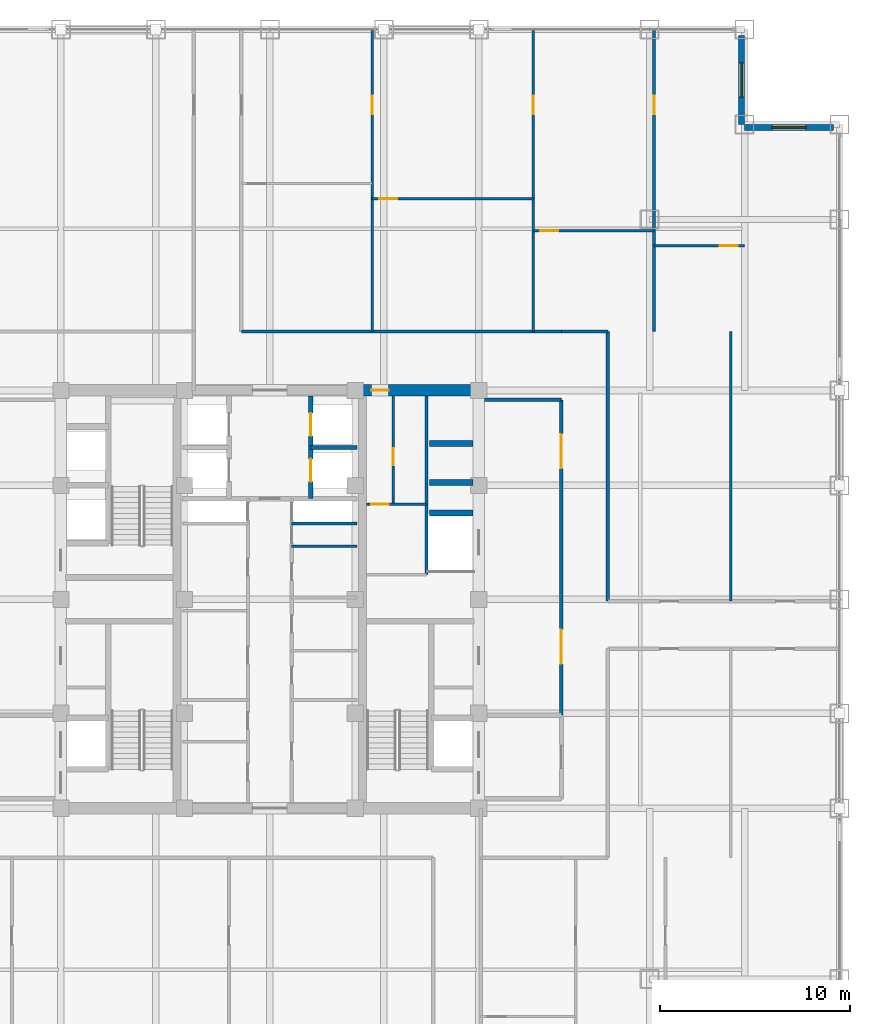
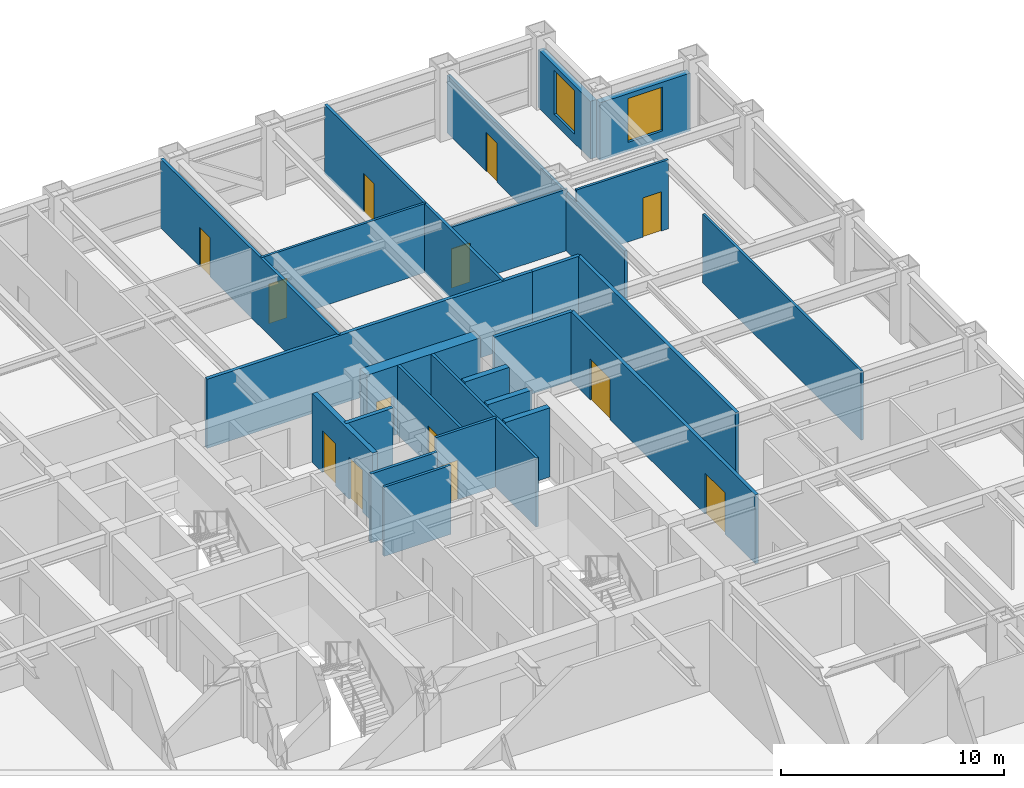
# One storey, part 23 of 25: 25 walls, 13 doors, 2 windows, 15 openings.
"""IFC4 building model written with IfcOpenShell, lengths in metres."""

from ifc_helpers import new_model, si_unit, direction, frame, frame_2d, origin, place, context, subcontext, project, spatial, rectangle, extrude, source, transform, mapped, material, layer, layer_set, type_object, element, fill, save


model = new_model("IFC4")

# Units and contexts
model_context = context("Model", 3, precision=1e-05, world=origin(), true_north=direction((0.0, 1.0)))
body_context = subcontext(model_context, "Body", "Model", "MODEL_VIEW")
ifc_project = project(units=[si_unit("LENGTHUNIT", "METRE"), si_unit("AREAUNIT", "SQUARE_METRE"), si_unit("VOLUMEUNIT", "CUBIC_METRE"), si_unit("PLANEANGLEUNIT", "RADIAN"), si_unit("MASSUNIT", "GRAM", prefix="KILO")], contexts=[model_context])

# Site, building, storey
site_placement = place(None, origin())
site = spatial("IfcSite", under=ifc_project, at=site_placement, CompositionType="ELEMENT")
building_placement = place(site_placement, origin())
building = spatial("IfcBuilding", under=site, at=building_placement, Name="Khorayat Bourse Tower", CompositionType="ELEMENT")
storey_placement = place(building_placement, frame((0.0, 0.0, 251.10009765625)))
storey = spatial("IfcBuildingStorey", under=building, at=storey_placement, Name="L59", CompositionType="ELEMENT", Elevation=251.10009765625)

# Wall, opening, door
ifc_material_1 = material(Name="Concrete C60/75", Category="concrete")
ifc_layer_1 = layer(ifc_material_1, 0.60009765625)
ifc_layer_set_1 = layer_set([ifc_layer_1], Name="Concrete C60/75")
wall_type_1 = type_object("IfcWallType", Name="WAL-CORE-600", PredefinedType="SHEAR", material=ifc_layer_set_1)
shared_shape_1 = source(origin(), body_context, "Body", "SweptSolid", [
    extrude(rectangle(XDim=5.89990234375, YDim=0.60009765625, at=frame_2d((2.949951171875, 0.0))), origin(), (0.0, 0.0, 1.0), 3.77978515625),
])
wall_1_placement = place(storey_placement, frame((4.85009765625, 11.0, 0.0), z_axis=(0.0, 0.0, 1.0), x_axis=(1.0, 0.0, 0.0)))
wall_1 = element("IfcWall", 1, at=wall_1_placement, inside=storey, type_object=wall_type_1, Name="L59 Core Shear Wall PIER-EN", PredefinedType="SHEAR", context=body_context, shape_type="MappedRepresentation", body=[
    mapped(shared_shape_1, transform((0.0, 0.0, 0.0), scale=1.0)),
])
shared_shape_2 = source(origin(), body_context, "Body", "SweptSolid", [
    extrude(rectangle(XDim=0.89990234375, YDim=2.14990234375, at=frame_2d((0.449951171875, 1.074951171875))), frame((0.0, 0.31005859375, 0.0), z_axis=(0.0, -1.0, 0.0), x_axis=(1.0, 0.0, 0.0)), (0.0, 0.0, 1.0), 0.6201171875),
])
opening_1_placement = place(wall_1_placement, frame((0.5, 0.0, 0.0)))
opening_1 = element("IfcOpeningElement", 2, at=opening_1_placement, cuts=wall_1, Name="Opening DI-06", PredefinedType="OPENING", context=body_context, shape_type="MappedRepresentation", body=[
    mapped(shared_shape_2, transform((0.0, 0.0, 0.0), scale=1.0)),
])
ifc_material_2 = material(Name="Moisture-resistant laminate washroom door")
door_type_1 = type_object("IfcDoorType", Name="DR-INT-WC-900", OperationType="NOTDEFINED", PredefinedType="DOOR", material=ifc_material_2)
shared_shape_3 = source(origin(), body_context, "Body", "SweptSolid", [
    extrude(rectangle(XDim=0.89990234375, YDim=2.14990234375, at=frame_2d((0.449951171875, 1.074951171875))), frame((0.0, 0.02490234375, 0.0), z_axis=(0.0, -1.0, 0.0), x_axis=(1.0, 0.0, 0.0)), (0.0, 0.0, 1.0), 0.050048828125),
])
door_1_placement = place(opening_1_placement, origin())
door_1 = element("IfcDoor", 3, at=door_1_placement, inside=storey, type_object=door_type_1, Name="L59 Core Washroom Lobby Door", OperationType="SINGLE_SWING_LEFT", OverallHeight=2.14990234375, OverallWidth=0.89990234375, PredefinedType="DOOR", context=body_context, shape_type="MappedRepresentation", body=[
    mapped(shared_shape_3, transform((0.0, 0.0, 0.0), scale=1.0)),
])
fill(opening_1, door_1)

# Wall, opening, window
ifc_material_3 = material(Name="Precast concrete C45/55", Category="concrete")
ifc_layer_2 = layer(ifc_material_3, 0.320068359375)
ifc_layer_set_2 = layer_set([ifc_layer_2], Name="Precast concrete C45/55")
wall_type_2 = type_object("IfcWallType", Name="WAL-EXT-STONE-320", PredefinedType="STANDARD", material=ifc_layer_set_2)
shared_shape_4 = source(origin(), body_context, "Body", "SweptSolid", [
    extrude(rectangle(XDim=4.679931640625, YDim=0.320068359375, at=frame_2d((2.33984375, 0.0))), origin(), (0.0, 0.0, 1.0), 3.163818359375),
])
wall_2_placement = place(storey_placement, frame((25.0, 24.840087890625, 0.0), z_axis=(0.0, 0.0, 1.0), x_axis=(1.0, 0.0, 0.0)))
wall_2 = element("IfcWall", 4, at=wall_2_placement, inside=storey, type_object=wall_type_2, Name="L59 Re-Entrant Notch Limestone Wall NE-H", PredefinedType="STANDARD", context=body_context, shape_type="MappedRepresentation", body=[
    mapped(shared_shape_4, transform((0.0, 0.0, 0.0), scale=1.0)),
])
shared_shape_5 = source(origin(), body_context, "Body", "SweptSolid", [
    extrude(rectangle(XDim=1.800048828125, YDim=2.39990234375, at=frame_2d((0.89990234375, 1.199951171875))), frame((0.0, 0.169921875, 0.0), z_axis=(0.0, -1.0, 0.0), x_axis=(1.0, 0.0, 0.0)), (0.0, 0.0, 1.0), 0.340087890625),
])
opening_2_placement = place(wall_2_placement, frame((1.43994140625, 0.0, 0.5)))
opening_2 = element("IfcOpeningElement", 5, at=opening_2_placement, cuts=wall_2, Name="Opening WN-04", PredefinedType="OPENING", context=body_context, shape_type="MappedRepresentation", body=[
    mapped(shared_shape_5, transform((0.0, 0.0, 0.0), scale=1.0)),
])
ifc_material_4 = material(Name="Low-E acoustic laminated double glazing", Category="glass")
window_type = type_object("IfcWindowType", Name="WIN-NOTCH-1800x2400", PartitioningType="SINGLE_PANEL", PredefinedType="WINDOW", material=ifc_material_4)
shared_shape_6 = source(origin(), body_context, "Body", "SweptSolid", [
    extrude(rectangle(XDim=1.800048828125, YDim=2.39990234375, at=frame_2d((0.89990234375, 1.199951171875))), frame((0.0, 0.030029296875, 0.0), z_axis=(0.0, -1.0, 0.0), x_axis=(1.0, 0.0, 0.0)), (0.0, 0.0, 1.0), 0.06005859375),
])
window_1_placement = place(opening_2_placement, origin())
window_1 = element("IfcWindow", 6, at=window_1_placement, inside=storey, type_object=window_type, Name="L59 Facade Window 1", OverallHeight=2.39990234375, OverallWidth=1.800048828125, PartitioningType="SINGLE_PANEL", PredefinedType="WINDOW", context=body_context, shape_type="MappedRepresentation", body=[
    mapped(shared_shape_6, transform((0.0, 0.0, 0.0), scale=1.0)),
])
fill(opening_2, window_1)

wall_3_placement = place(storey_placement, frame((24.840087890625, 25.0, 0.0), z_axis=(0.0, 0.0, 1.0), x_axis=(0.0, 1.0, 0.0)))
wall_3 = element("IfcWall", 7, at=wall_3_placement, inside=storey, type_object=wall_type_2, Name="L59 Re-Entrant Notch Limestone Wall NE-V", PredefinedType="STANDARD", context=body_context, shape_type="MappedRepresentation", body=[
    mapped(shared_shape_4, transform((0.0, 0.0, 0.0), scale=1.0)),
])
opening_3_placement = place(wall_3_placement, frame((1.43994140625, 0.0, 0.5)))
opening_3 = element("IfcOpeningElement", 8, at=opening_3_placement, cuts=wall_3, Name="Opening WN-04", PredefinedType="OPENING", context=body_context, shape_type="MappedRepresentation", body=[
    mapped(shared_shape_5, transform((0.0, 0.0, 0.0), scale=1.0)),
])
window_2_placement = place(opening_3_placement, origin())
window_2 = element("IfcWindow", 9, at=window_2_placement, inside=storey, type_object=window_type, Name="L59 Facade Window 1", OverallHeight=2.39990234375, OverallWidth=1.800048828125, PartitioningType="SINGLE_PANEL", PredefinedType="WINDOW", context=body_context, shape_type="MappedRepresentation", body=[
    mapped(shared_shape_6, transform((0.0, 0.0, 0.0), scale=1.0)),
])
fill(opening_3, window_2)

# Walls
ifc_material_5 = material(Name="Concrete C50/60", Category="concrete")
ifc_layer_3 = layer(ifc_material_5, 0.300048828125)
ifc_layer_set_3 = layer_set([ifc_layer_3], Name="Concrete C50/60")
wall_type_3 = type_object("IfcWallType", Name="WAL-SHAFT-300", PredefinedType="SHEAR", material=ifc_layer_set_3)
shared_shape_7 = source(origin(), body_context, "Body", "SweptSolid", [
    extrude(rectangle(XDim=2.300048828125, YDim=0.300048828125, at=frame_2d((1.14990234375, 0.0))), origin(), (0.0, 0.0, 1.0), 3.77978515625),
])
for number, where, z_axis, x_axis, name in (
    (10, (8.39990234375, 4.550048828125, 0.0), (0.0, 0.0, 1.0), (1.0, 0.0, 0.0), "L59 Partition WAL-L59-EPIER-SVLN"),
    (11, (8.39990234375, 6.14990234375, 0.0), (0.0, 0.0, 1.0), (1.0, 0.0, 0.0), "L59 Partition WAL-L59-EPIER-H3S"),
    (12, (8.39990234375, 8.199951171875, 0.0), (0.0, 0.0, 1.0), (1.0, 0.0, 0.0), "L59 Partition WAL-L59-EPIER-H34"),
):
    element("IfcWall", number, at=place(storey_placement, frame(where, z_axis=z_axis, x_axis=x_axis)), inside=storey, type_object=wall_type_3, Name=name, PredefinedType="SHEAR", context=body_context, shape_type="MappedRepresentation", body=[
        mapped(shared_shape_7, transform((0.0, 0.0, 0.0), scale=1.0)),
    ])
ifc_material_6 = material(Name="Moisture-resistant masonry partition", Category="masonry")
ifc_layer_4 = layer(ifc_material_6, 0.139892578125)
ifc_layer_set_4 = layer_set([ifc_layer_4], Name="Moisture-resistant masonry partition")
wall_type_4 = type_object("IfcWallType", Name="WAL-PART-WET-140", PredefinedType="PARTITIONING", material=ifc_layer_set_4)
shared_shape_8 = source(origin(), body_context, "Body", "SweptSolid", [
    extrude(rectangle(XDim=9.39990234375, YDim=0.139892578125, at=frame_2d((4.699951171875, 0.0))), origin(), (0.0, 0.0, 1.0), 3.77978515625),
])
wall_4_placement = place(storey_placement, frame((8.25, 1.300048828125, 0.0), z_axis=(0.0, 0.0, 1.0), x_axis=(0.0, 1.0, 0.0)))
element("IfcWall", 13, at=wall_4_placement, inside=storey, type_object=wall_type_4, Name="L59 Partition WAL-L59-ECORE-E", PredefinedType="PARTITIONING", context=body_context, shape_type="MappedRepresentation", body=[
    mapped(shared_shape_8, transform((0.0, 0.0, 0.0), scale=1.0)),
])

# Wall, opening, door
shared_shape_9 = source(origin(), body_context, "Body", "SweptSolid", [
    extrude(rectangle(XDim=3.14990234375, YDim=0.139892578125, at=frame_2d((1.574951171875, 0.0))), origin(), (0.0, 0.0, 1.0), 3.77978515625),
])
wall_5_placement = place(storey_placement, frame((5.10009765625, 5.0, 0.0), z_axis=(0.0, 0.0, 1.0), x_axis=(1.0, 0.0, 0.0)))
wall_5 = element("IfcWall", 14, at=wall_5_placement, inside=storey, type_object=wall_type_4, Name="L59 Partition WAL-L59-ECW-BOT", PredefinedType="PARTITIONING", context=body_context, shape_type="MappedRepresentation", body=[
    mapped(shared_shape_9, transform((0.0, 0.0, 0.0), scale=1.0)),
])
shared_shape_10 = source(origin(), body_context, "Body", "SweptSolid", [
    extrude(rectangle(XDim=0.89990234375, YDim=2.14990234375, at=frame_2d((0.449951171875, 1.074951171875))), frame((0.0, 0.079833984375, 0.0), z_axis=(0.0, -1.0, 0.0), x_axis=(1.0, 0.0, 0.0)), (0.0, 0.0, 1.0), 0.159912109375),
])
opening_4_placement = place(wall_5_placement, frame((0.25, 0.0, 0.0)))
opening_4 = element("IfcOpeningElement", 15, at=opening_4_placement, cuts=wall_5, Name="Opening DI-06", PredefinedType="OPENING", context=body_context, shape_type="MappedRepresentation", body=[
    mapped(shared_shape_10, transform((0.0, 0.0, 0.0), scale=1.0)),
])
door_2_placement = place(opening_4_placement, origin())
door_2 = element("IfcDoor", 16, at=door_2_placement, inside=storey, type_object=door_type_1, Name="L59 Shared Washroom Door", OperationType="SINGLE_SWING_LEFT", OverallHeight=2.14990234375, OverallWidth=0.89990234375, PredefinedType="DOOR", context=body_context, shape_type="MappedRepresentation", body=[
    mapped(shared_shape_3, transform((0.0, 0.0, 0.0), scale=1.0)),
])
fill(opening_4, door_2)

# Wall
ifc_material_7 = material(Name="Gypsum plasterboard acoustic stud wall")
ifc_layer_5 = layer(ifc_material_7, 0.179931640625)
ifc_layer_set_5 = layer_set([ifc_layer_5], Name="Gypsum plasterboard acoustic stud wall")
wall_type_5 = type_object("IfcWallType", Name="WAL-PART-CORR-180", PredefinedType="PARTITIONING", material=ifc_layer_set_5)
shared_shape_11 = source(origin(), body_context, "Body", "SweptSolid", [
    extrude(rectangle(XDim=4.050048828125, YDim=0.179931640625, at=frame_2d((2.02490234375, 0.0))), origin(), (0.0, 0.0, 1.0), 3.77978515625),
])
wall_6_placement = place(storey_placement, frame((11.300048828125, 10.5, 0.0), z_axis=(0.0, 0.0, 1.0), x_axis=(1.0, 0.0, 0.0)))
element("IfcWall", 17, at=wall_6_placement, inside=storey, type_object=wall_type_5, Name="L59 Partition WAL-L59-ELOB-N", PredefinedType="PARTITIONING", context=body_context, shape_type="MappedRepresentation", body=[
    mapped(shared_shape_11, transform((0.0, 0.0, 0.0), scale=1.0)),
])

# Wall, openings, doors
shared_shape_12 = source(origin(), body_context, "Body", "SweptSolid", [
    extrude(rectangle(XDim=16.60009765625, YDim=0.179931640625, at=frame_2d((8.300048828125, 0.0))), origin(), (0.0, 0.0, 1.0), 3.77978515625),
])
wall_7_placement = place(storey_placement, frame((15.35009765625, -6.10009765625, 0.0), z_axis=(0.0, 0.0, 1.0), x_axis=(0.0, 1.0, 0.0)))
wall_7 = element("IfcWall", 18, at=wall_7_placement, inside=storey, type_object=wall_type_5, Name="L59 Partition WAL-L59-ELOB-E", PredefinedType="PARTITIONING", context=body_context, shape_type="MappedRepresentation", body=[
    mapped(shared_shape_12, transform((0.0, 0.0, 0.0), scale=1.0)),
])
shared_shape_13 = source(origin(), body_context, "Body", "SweptSolid", [
    extrude(rectangle(XDim=1.800048828125, YDim=2.25, at=frame_2d((0.89990234375, 1.125))), frame((0.0, 0.099853515625, 0.0), z_axis=(0.0, -1.0, 0.0), x_axis=(1.0, 0.0, 0.0)), (0.0, 0.0, 1.0), 0.199951171875),
])
opening_5_placement = place(wall_7_placement, frame((2.699951171875, 0.0, 0.0)))
opening_5 = element("IfcOpeningElement", 19, at=opening_5_placement, cuts=wall_7, Name="Opening DI-03", PredefinedType="OPENING", context=body_context, shape_type="MappedRepresentation", body=[
    mapped(shared_shape_13, transform((0.0, 0.0, 0.0), scale=1.0)),
])
opening_6_placement = place(wall_7_placement, frame((13.0, 0.0, 0.0)))
opening_6 = element("IfcOpeningElement", 20, at=opening_6_placement, cuts=wall_7, Name="Opening DI-03", PredefinedType="OPENING", context=body_context, shape_type="MappedRepresentation", body=[
    mapped(shared_shape_13, transform((0.0, 0.0, 0.0), scale=1.0)),
])
ifc_material_8 = material(Name="Fire-rated hardwood vision-panel double leaf", Category="wood")
door_type_2 = type_object("IfcDoorType", Name="DR-INT-CORR-1800", OperationType="NOTDEFINED", PredefinedType="DOOR", material=ifc_material_8)
shared_shape_14 = source(origin(), body_context, "Body", "SweptSolid", [
    extrude(rectangle(XDim=1.800048828125, YDim=2.25, at=frame_2d((0.89990234375, 1.125))), frame((0.0, 0.02490234375, 0.0), z_axis=(0.0, -1.0, 0.0), x_axis=(1.0, 0.0, 0.0)), (0.0, 0.0, 1.0), 0.050048828125),
])
door_3_placement = place(opening_5_placement, origin())
door_3 = element("IfcDoor", 21, at=door_3_placement, inside=storey, type_object=door_type_2, Name="L59 East Core Lobby South Door", OperationType="SINGLE_SWING_RIGHT", OverallHeight=2.25, OverallWidth=1.800048828125, PredefinedType="DOOR", context=body_context, shape_type="MappedRepresentation", body=[
    mapped(shared_shape_14, transform((0.0, 0.0, 0.0), scale=1.0)),
])
fill(opening_5, door_3)
door_4_placement = place(opening_6_placement, origin())
door_4 = element("IfcDoor", 22, at=door_4_placement, inside=storey, type_object=door_type_2, Name="L59 East Core Lobby North Door", OperationType="SINGLE_SWING_LEFT", OverallHeight=2.25, OverallWidth=1.800048828125, PredefinedType="DOOR", context=body_context, shape_type="MappedRepresentation", body=[
    mapped(shared_shape_14, transform((0.0, 0.0, 0.0), scale=1.0)),
])
fill(opening_6, door_4)

# Walls
ifc_material_9 = material(Name="Gypsum plasterboard twin-frame partition")
ifc_layer_6 = layer(ifc_material_9, 0.14990234375)
ifc_layer_set_6 = layer_set([ifc_layer_6], Name="Gypsum plasterboard twin-frame partition")
wall_type_6 = type_object("IfcWallType", Name="WAL-PART-SUITE-150", PredefinedType="PARTITIONING", material=ifc_layer_set_6)
shared_shape_15 = source(origin(), body_context, "Body", "SweptSolid", [
    extrude(rectangle(XDim=3.4501953125, YDim=0.14990234375, at=frame_2d((1.72509765625, 0.0))), origin(), (0.0, 0.0, 1.0), 3.77978515625),
])
wall_8_placement = place(storey_placement, frame((1.14990234375, 4.0, 0.0), z_axis=(0.0, 0.0, 1.0), x_axis=(1.0, 0.0, 0.0)))
element("IfcWall", 23, at=wall_8_placement, inside=storey, type_object=wall_type_6, Name="L59 Partition WAL-L59-CRSE-S", PredefinedType="PARTITIONING", context=body_context, shape_type="MappedRepresentation", body=[
    mapped(shared_shape_15, transform((0.0, 0.0, 0.0), scale=1.0)),
])
shared_shape_16 = source(origin(), body_context, "Body", "SweptSolid", [
    extrude(rectangle(XDim=3.4501953125, YDim=0.139892578125, at=frame_2d((1.72509765625, 0.0))), origin(), (0.0, 0.0, 1.0), 3.77978515625),
])
wall_9_placement = place(storey_placement, frame((1.14990234375, 2.800048828125, 0.0), z_axis=(0.0, 0.0, 1.0), x_axis=(1.0, 0.0, 0.0)))
element("IfcWall", 24, at=wall_9_placement, inside=storey, type_object=wall_type_4, Name="L59 Partition WAL-L59-CME-D3", PredefinedType="PARTITIONING", context=body_context, shape_type="MappedRepresentation", body=[
    mapped(shared_shape_16, transform((0.0, 0.0, 0.0), scale=1.0)),
])

# Wall, openings, doors
shared_shape_17 = source(origin(), body_context, "Body", "SweptSolid", [
    extrude(rectangle(XDim=5.39990234375, YDim=0.25, at=frame_2d((2.699951171875, 0.0))), origin(), (0.0, 0.0, 1.0), 3.77978515625),
])
wall_10_placement = place(storey_placement, frame((2.14990234375, 5.300048828125, 0.0), z_axis=(0.0, 0.0, 1.0), x_axis=(0.0, 1.0, 0.0)))
wall_10 = element("IfcWall", 25, at=wall_10_placement, inside=storey, type_object=wall_type_3, Name="L59 Partition WAL-L59-B2-E", PredefinedType="SHEAR", context=body_context, shape_type="MappedRepresentation", body=[
    mapped(shared_shape_17, transform((0.0, 0.0, 0.0), scale=1.0)),
])
shared_shape_18 = source(origin(), body_context, "Body", "SweptSolid", [
    extrude(rectangle(XDim=1.199951171875, YDim=2.300048828125, at=frame_2d((0.60009765625, 1.14990234375))), frame((0.0, 0.135009765625, 0.0), z_axis=(0.0, -1.0, 0.0), x_axis=(1.0, 0.0, 0.0)), (0.0, 0.0, 1.0), 0.27001953125),
])
opening_7_placement = place(wall_10_placement, frame((3.300048828125, 0.0, 0.0)))
opening_7 = element("IfcOpeningElement", 26, at=opening_7_placement, cuts=wall_10, Name="Opening LD-01", PredefinedType="OPENING", context=body_context, shape_type="MappedRepresentation", body=[
    mapped(shared_shape_18, transform((0.0, 0.0, 0.0), scale=1.0)),
])
opening_8_placement = place(wall_10_placement, frame((0.89990234375, 0.0, 0.0)))
opening_8 = element("IfcOpeningElement", 27, at=opening_8_placement, cuts=wall_10, Name="Opening LD-01", PredefinedType="OPENING", context=body_context, shape_type="MappedRepresentation", body=[
    mapped(shared_shape_18, transform((0.0, 0.0, 0.0), scale=1.0)),
])
ifc_material_10 = material(Name="Brushed bronze stainless-steel sliding door", Category="steel")
door_type_3 = type_object("IfcDoorType", Name="DR-LIFT-PASS-1200", OperationType="NOTDEFINED", PredefinedType="DOOR", material=ifc_material_10)
shared_shape_19 = source(origin(), body_context, "Body", "SweptSolid", [
    extrude(rectangle(XDim=1.199951171875, YDim=2.300048828125, at=frame_2d((0.60009765625, 1.14990234375))), frame((0.0, 0.02490234375, 0.0), z_axis=(0.0, -1.0, 0.0), x_axis=(1.0, 0.0, 0.0)), (0.0, 0.0, 1.0), 0.050048828125),
])
door_5_placement = place(opening_7_placement, origin())
door_5 = element("IfcDoor", 28, at=door_5_placement, inside=storey, type_object=door_type_3, Name="L59 Lift PL-M2 Sliding Landing Door", OperationType="SLIDING_TO_LEFT", OverallHeight=2.300048828125, OverallWidth=1.199951171875, PredefinedType="DOOR", context=body_context, shape_type="MappedRepresentation", body=[
    mapped(shared_shape_19, transform((0.0, 0.0, 0.0), scale=1.0)),
])
fill(opening_7, door_5)
door_6_placement = place(opening_8_placement, origin())
door_6 = element("IfcDoor", 29, at=door_6_placement, inside=storey, type_object=door_type_3, Name="L59 Lift PL-M4 Sliding Landing Door", OperationType="SLIDING_TO_LEFT", OverallHeight=2.300048828125, OverallWidth=1.199951171875, PredefinedType="DOOR", context=body_context, shape_type="MappedRepresentation", body=[
    mapped(shared_shape_19, transform((0.0, 0.0, 0.0), scale=1.0)),
])
fill(opening_8, door_6)

# Walls
shared_shape_20 = source(origin(), body_context, "Body", "SweptSolid", [
    extrude(rectangle(XDim=2.4501953125, YDim=0.199951171875, at=frame_2d((1.22509765625, 0.0))), origin(), (0.0, 0.0, 1.0), 3.77978515625),
])
wall_11_placement = place(storey_placement, frame((2.14990234375, 8.0, 0.0), z_axis=(0.0, 0.0, 1.0), x_axis=(1.0, 0.0, 0.0)))
element("IfcWall", 30, at=wall_11_placement, inside=storey, type_object=wall_type_3, Name="L59 Partition WAL-L59-B2-ME", PredefinedType="SHEAR", context=body_context, shape_type="MappedRepresentation", body=[
    mapped(shared_shape_20, transform((0.0, 0.0, 0.0), scale=1.0)),
])
shared_shape_21 = source(origin(), body_context, "Body", "SweptSolid", [
    extrude(rectangle(XDim=2.449951171875, YDim=0.179931640625, at=frame_2d((1.22509765625, 0.0))), origin(), (0.0, 0.0, 1.0), 3.77978515625),
])
wall_12_placement = place(storey_placement, frame((15.35009765625, 14.10009765625, 0.0), z_axis=(0.0, 0.0, 1.0), x_axis=(1.0, 0.0, 0.0)))
element("IfcWall", 31, at=wall_12_placement, inside=storey, type_object=wall_type_5, Name="L59 Partition WAL-L59-C2-EN", PredefinedType="PARTITIONING", context=body_context, shape_type="MappedRepresentation", body=[
    mapped(shared_shape_21, transform((0.0, 0.0, 0.0), scale=1.0)),
])

# Wall, opening, door
shared_shape_22 = source(origin(), body_context, "Body", "SweptSolid", [
    extrude(rectangle(XDim=5.699951171875, YDim=0.139892578125, at=frame_2d((2.85009765625, 0.0))), origin(), (0.0, 0.0, 1.0), 3.77978515625),
])
wall_13_placement = place(storey_placement, frame((6.5, 5.0, 0.0), z_axis=(0.0, 0.0, 1.0), x_axis=(0.0, 1.0, 0.0)))
wall_13 = element("IfcWall", 32, at=wall_13_placement, inside=storey, type_object=wall_type_4, Name="L59 Partition WAL-L59-ECW-MID", PredefinedType="PARTITIONING", context=body_context, shape_type="MappedRepresentation", body=[
    mapped(shared_shape_22, transform((0.0, 0.0, 0.0), scale=1.0)),
])
opening_9_placement = place(wall_13_placement, frame((2.050048828125, 0.0, 0.0)))
opening_9 = element("IfcOpeningElement", 33, at=opening_9_placement, cuts=wall_13, Name="Opening DI-06", PredefinedType="OPENING", context=body_context, shape_type="MappedRepresentation", body=[
    mapped(shared_shape_10, transform((0.0, 0.0, 0.0), scale=1.0)),
])
door_7_placement = place(opening_9_placement, origin())
door_7 = element("IfcDoor", 34, at=door_7_placement, inside=storey, type_object=door_type_1, Name="L59 Accessible WC Door", OperationType="SINGLE_SWING_RIGHT", OverallHeight=2.14990234375, OverallWidth=0.89990234375, PredefinedType="DOOR", context=body_context, shape_type="MappedRepresentation", body=[
    mapped(shared_shape_3, transform((0.0, 0.0, 0.0), scale=1.0)),
])
fill(opening_9, door_7)

shared_shape_23 = source(origin(), body_context, "Body", "SweptSolid", [
    extrude(rectangle(XDim=15.89990234375, YDim=0.14990234375, at=frame_2d((7.949951171875, 0.0))), origin(), (0.0, 0.0, 1.0), 3.77978515625),
])
wall_14_placement = place(storey_placement, frame((5.389892578125, 14.10009765625, 0.0), z_axis=(0.0, 0.0, 1.0), x_axis=(0.0, 1.0, 0.0)))
wall_14 = element("IfcWall", 35, at=wall_14_placement, inside=storey, type_object=wall_type_6, Name="L59 Partition WAL-L59-QNEDV-1", PredefinedType="PARTITIONING", context=body_context, shape_type="MappedRepresentation", body=[
    mapped(shared_shape_23, transform((0.0, 0.0, 0.0), scale=1.0)),
])
shared_shape_24 = source(origin(), body_context, "Body", "SweptSolid", [
    extrude(rectangle(XDim=0.949951171875, YDim=2.14990234375, at=frame_2d((0.47509765625, 1.074951171875))), frame((0.0, 0.0849609375, 0.0), z_axis=(0.0, -1.0, 0.0), x_axis=(1.0, 0.0, 0.0)), (0.0, 0.0, 1.0), 0.169921875),
])
opening_10_placement = place(wall_14_placement, frame((11.449951171875, 0.0, 0.0)))
opening_10 = element("IfcOpeningElement", 36, at=opening_10_placement, cuts=wall_14, Name="Opening DI-05", PredefinedType="OPENING", context=body_context, shape_type="MappedRepresentation", body=[
    mapped(shared_shape_24, transform((0.0, 0.0, 0.0), scale=1.0)),
])
ifc_material_11 = material(Name="Acoustic oak veneer office door")
door_type_4 = type_object("IfcDoorType", Name="DR-INT-OFFICE-950", OperationType="NOTDEFINED", PredefinedType="DOOR", material=ifc_material_11)
shared_shape_25 = source(origin(), body_context, "Body", "SweptSolid", [
    extrude(rectangle(XDim=0.949951171875, YDim=2.14990234375, at=frame_2d((0.47509765625, 1.074951171875))), frame((0.0, 0.02490234375, 0.0), z_axis=(0.0, -1.0, 0.0), x_axis=(1.0, 0.0, 0.0)), (0.0, 0.0, 1.0), 0.050048828125),
])
door_8_placement = place(opening_10_placement, origin())
door_8 = element("IfcDoor", 37, at=door_8_placement, inside=storey, type_object=door_type_4, Name="L59 North-East Suite Link 1", OperationType="SINGLE_SWING_RIGHT", OverallHeight=2.14990234375, OverallWidth=0.949951171875, PredefinedType="DOOR", context=body_context, shape_type="MappedRepresentation", body=[
    mapped(shared_shape_25, transform((0.0, 0.0, 0.0), scale=1.0)),
])
fill(opening_10, door_8)

wall_15_placement = place(storey_placement, frame((13.8701171875, 14.10009765625, 0.0), z_axis=(0.0, 0.0, 1.0), x_axis=(0.0, 1.0, 0.0)))
wall_15 = element("IfcWall", 38, at=wall_15_placement, inside=storey, type_object=wall_type_6, Name="L59 Partition WAL-L59-QNEDV-2", PredefinedType="PARTITIONING", context=body_context, shape_type="MappedRepresentation", body=[
    mapped(shared_shape_23, transform((0.0, 0.0, 0.0), scale=1.0)),
])
opening_11_placement = place(wall_15_placement, frame((11.449951171875, 0.0, 0.0)))
opening_11 = element("IfcOpeningElement", 39, at=opening_11_placement, cuts=wall_15, Name="Opening DI-05", PredefinedType="OPENING", context=body_context, shape_type="MappedRepresentation", body=[
    mapped(shared_shape_24, transform((0.0, 0.0, 0.0), scale=1.0)),
])
door_9_placement = place(opening_11_placement, origin())
door_9 = element("IfcDoor", 40, at=door_9_placement, inside=storey, type_object=door_type_4, Name="L59 North-East Suite Link 2", OperationType="SINGLE_SWING_LEFT", OverallHeight=2.14990234375, OverallWidth=0.949951171875, PredefinedType="DOOR", context=body_context, shape_type="MappedRepresentation", body=[
    mapped(shared_shape_25, transform((0.0, 0.0, 0.0), scale=1.0)),
])
fill(opening_11, door_9)

shared_shape_26 = source(origin(), body_context, "Body", "SweptSolid", [
    extrude(rectangle(XDim=15.89990234375, YDim=0.14990234375, at=frame_2d((7.949951171875, 0.0))), origin(), (0.0, 0.0, 1.0), 3.163818359375),
])
wall_16_placement = place(storey_placement, frame((20.22998046875, 14.10009765625, 0.0), z_axis=(0.0, 0.0, 1.0), x_axis=(0.0, 1.0, 0.0)))
wall_16 = element("IfcWall", 41, at=wall_16_placement, inside=storey, type_object=wall_type_6, Name="L59 Partition WAL-L59-QNEDV-3", PredefinedType="PARTITIONING", context=body_context, shape_type="MappedRepresentation", body=[
    mapped(shared_shape_26, transform((0.0, 0.0, 0.0), scale=1.0)),
])
opening_12_placement = place(wall_16_placement, frame((11.449951171875, 0.0, 0.0)))
opening_12 = element("IfcOpeningElement", 42, at=opening_12_placement, cuts=wall_16, Name="Opening DI-05", PredefinedType="OPENING", context=body_context, shape_type="MappedRepresentation", body=[
    mapped(shared_shape_24, transform((0.0, 0.0, 0.0), scale=1.0)),
])
door_10_placement = place(opening_12_placement, origin())
door_10 = element("IfcDoor", 43, at=door_10_placement, inside=storey, type_object=door_type_4, Name="L59 North-East Suite Link 3", OperationType="SINGLE_SWING_RIGHT", OverallHeight=2.14990234375, OverallWidth=0.949951171875, PredefinedType="DOOR", context=body_context, shape_type="MappedRepresentation", body=[
    mapped(shared_shape_25, transform((0.0, 0.0, 0.0), scale=1.0)),
])
fill(opening_12, door_10)

# Wall
shared_shape_27 = source(origin(), body_context, "Body", "SweptSolid", [
    extrude(rectangle(XDim=16.85009765625, YDim=0.179931640625, at=frame_2d((8.425048828125, 0.0))), origin(), (0.0, 0.0, 1.0), 3.77978515625),
])
wall_17_placement = place(storey_placement, frame((-1.5, 14.10009765625, 0.0), z_axis=(0.0, 0.0, 1.0), x_axis=(1.0, 0.0, 0.0)))
element("IfcWall", 44, at=wall_17_placement, inside=storey, type_object=wall_type_5, Name="L59 Partition WAL-L59-QNE-HC", PredefinedType="PARTITIONING", context=body_context, shape_type="MappedRepresentation", body=[
    mapped(shared_shape_27, transform((0.0, 0.0, 0.0), scale=1.0)),
])

# Wall, opening, door
ifc_material_12 = material(Name="Gypsum plasterboard partition")
ifc_layer_7 = layer(ifc_material_12, 0.125)
ifc_layer_set_7 = layer_set([ifc_layer_7], Name="Gypsum plasterboard partition")
wall_type_7 = type_object("IfcWallType", Name="WAL-PART-ROOM-125", PredefinedType="PARTITIONING", material=ifc_layer_set_7)
shared_shape_28 = source(origin(), body_context, "Body", "SweptSolid", [
    extrude(rectangle(XDim=8.480224609375, YDim=0.125, at=frame_2d((4.240234375, 0.0))), origin(), (0.0, 0.0, 1.0), 3.77978515625),
])
wall_18_placement = place(storey_placement, frame((5.389892578125, 21.095947265625, 0.0), z_axis=(0.0, 0.0, 1.0), x_axis=(1.0, 0.0, 0.0)))
wall_18 = element("IfcWall", 45, at=wall_18_placement, inside=storey, type_object=wall_type_7, Name="L59 Partition WAL-L59-QNEDP-2", PredefinedType="PARTITIONING", context=body_context, shape_type="MappedRepresentation", body=[
    mapped(shared_shape_28, transform((0.0, 0.0, 0.0), scale=1.0)),
])
shared_shape_29 = source(origin(), body_context, "Body", "SweptSolid", [
    extrude(rectangle(XDim=0.949951171875, YDim=2.14990234375, at=frame_2d((0.47509765625, 1.074951171875))), frame((0.0, 0.072509765625, 0.0), z_axis=(0.0, -1.0, 0.0), x_axis=(1.0, 0.0, 0.0)), (0.0, 0.0, 1.0), 0.14501953125),
])
opening_13_placement = place(wall_18_placement, frame((0.375, 0.0, 0.0)))
opening_13 = element("IfcOpeningElement", 46, at=opening_13_placement, cuts=wall_18, Name="Opening DI-05", PredefinedType="OPENING", context=body_context, shape_type="MappedRepresentation", body=[
    mapped(shared_shape_29, transform((0.0, 0.0, 0.0), scale=1.0)),
])
door_11_placement = place(opening_13_placement, origin())
door_11 = element("IfcDoor", 47, at=door_11_placement, inside=storey, type_object=door_type_4, Name="L59 North-East Market Risk Analytics Workspace 2B Door", OperationType="SINGLE_SWING_LEFT", OverallHeight=2.14990234375, OverallWidth=0.949951171875, PredefinedType="DOOR", context=body_context, shape_type="MappedRepresentation", body=[
    mapped(shared_shape_25, transform((0.0, 0.0, 0.0), scale=1.0)),
])
fill(opening_13, door_11)

shared_shape_30 = source(origin(), body_context, "Body", "SweptSolid", [
    extrude(rectangle(XDim=6.35986328125, YDim=0.125, at=frame_2d((3.179931640625, 0.0))), origin(), (0.0, 0.0, 1.0), 3.36279296875),
])
wall_19_placement = place(storey_placement, frame((13.8701171875, 19.40087890625, 0.0), z_axis=(0.0, 0.0, 1.0), x_axis=(1.0, 0.0, 0.0)))
wall_19 = element("IfcWall", 48, at=wall_19_placement, inside=storey, type_object=wall_type_7, Name="L59 Partition WAL-L59-QNEDP-3", PredefinedType="PARTITIONING", context=body_context, shape_type="MappedRepresentation", body=[
    mapped(shared_shape_30, transform((0.0, 0.0, 0.0), scale=1.0)),
])
opening_14_placement = place(wall_19_placement, frame((0.375, 0.0, 0.0)))
opening_14 = element("IfcOpeningElement", 49, at=opening_14_placement, cuts=wall_19, Name="Opening DI-05", PredefinedType="OPENING", context=body_context, shape_type="MappedRepresentation", body=[
    mapped(shared_shape_29, transform((0.0, 0.0, 0.0), scale=1.0)),
])
door_12_placement = place(opening_14_placement, origin())
door_12 = element("IfcDoor", 50, at=door_12_placement, inside=storey, type_object=door_type_4, Name="L59 North-East Executive Boardroom 3B Door", OperationType="SINGLE_SWING_RIGHT", OverallHeight=2.14990234375, OverallWidth=0.949951171875, PredefinedType="DOOR", context=body_context, shape_type="MappedRepresentation", body=[
    mapped(shared_shape_25, transform((0.0, 0.0, 0.0), scale=1.0)),
])
fill(opening_14, door_12)

shared_shape_31 = source(origin(), body_context, "Body", "SweptSolid", [
    extrude(rectangle(XDim=4.77001953125, YDim=0.125, at=frame_2d((2.385009765625, 0.0))), origin(), (0.0, 0.0, 1.0), 3.77978515625),
])
wall_20_placement = place(storey_placement, frame((20.22998046875, 18.60595703125, 0.0), z_axis=(0.0, 0.0, 1.0), x_axis=(1.0, 0.0, 0.0)))
wall_20 = element("IfcWall", 51, at=wall_20_placement, inside=storey, type_object=wall_type_7, Name="L59 Partition WAL-L59-QNEDP-4", PredefinedType="PARTITIONING", context=body_context, shape_type="MappedRepresentation", body=[
    mapped(shared_shape_31, transform((0.0, 0.0, 0.0), scale=1.0)),
])
opening_15_placement = place(wall_20_placement, frame((3.445068359375, 0.0, 0.0)))
opening_15 = element("IfcOpeningElement", 52, at=opening_15_placement, cuts=wall_20, Name="Opening DI-05", PredefinedType="OPENING", context=body_context, shape_type="MappedRepresentation", body=[
    mapped(shared_shape_29, transform((0.0, 0.0, 0.0), scale=1.0)),
])
door_13_placement = place(opening_15_placement, origin())
door_13 = element("IfcDoor", 53, at=door_13_placement, inside=storey, type_object=door_type_4, Name="L59 North-East Market Reference Library 4B Door", OperationType="SINGLE_SWING_LEFT", OverallHeight=2.14990234375, OverallWidth=0.949951171875, PredefinedType="DOOR", context=body_context, shape_type="MappedRepresentation", body=[
    mapped(shared_shape_25, transform((0.0, 0.0, 0.0), scale=1.0)),
])
fill(opening_15, door_13)

# Walls
shared_shape_32 = source(origin(), body_context, "Body", "SweptSolid", [
    extrude(rectangle(XDim=14.2001953125, YDim=0.125, at=frame_2d((7.10009765625, 0.0))), origin(), (0.0, 0.0, 1.0), 3.77978515625),
])
wall_21_placement = place(storey_placement, frame((24.26611328125, -0.10009765625, 0.0), z_axis=(0.0, 0.0, 1.0), x_axis=(0.0, 1.0, 0.0)))
element("IfcWall", 54, at=wall_21_placement, inside=storey, type_object=wall_type_7, Name="L59 Partition WAL-L59-EN-DV", PredefinedType="PARTITIONING", context=body_context, shape_type="MappedRepresentation", body=[
    mapped(shared_shape_32, transform((0.0, 0.0, 0.0), scale=1.0)),
])
shared_shape_33 = source(origin(), body_context, "Body", "SweptSolid", [
    extrude(rectangle(XDim=14.2001953125, YDim=0.179931640625, at=frame_2d((7.10009765625, 0.0))), origin(), (0.0, 0.0, 1.0), 3.77978515625),
])
wall_22_placement = place(storey_placement, frame((17.800048828125, -0.10009765625, 0.0), z_axis=(0.0, 0.0, 1.0), x_axis=(0.0, 1.0, 0.0)))
element("IfcWall", 55, at=wall_22_placement, inside=storey, type_object=wall_type_5, Name="L59 Partition WAL-L59-EN-IN", PredefinedType="PARTITIONING", context=body_context, shape_type="MappedRepresentation", body=[
    mapped(shared_shape_33, transform((0.0, 0.0, 0.0), scale=1.0)),
])

save(model, "model.ifc")
